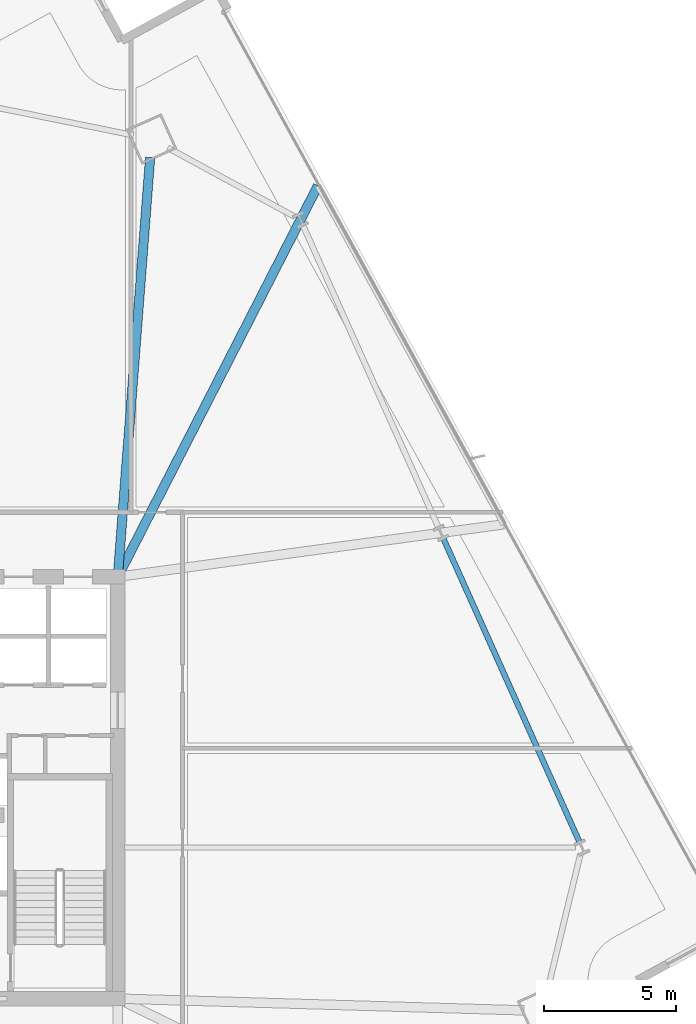
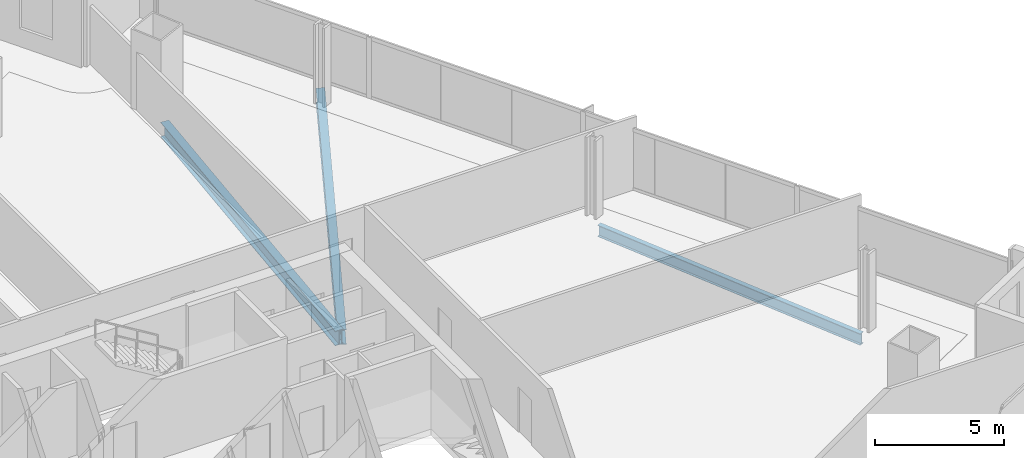
# One storey, part 17 of 33: 3 beams.
"""IFC4 building model written with IfcOpenShell, lengths in metres."""

from ifc_helpers import new_model, si_unit, direction, frame, origin, origin_2d, place, context, subcontext, project, spatial, i_section, extrude, material, material_profile, profile_set, type_object, element, save


model = new_model("IFC4")

# Units and contexts
model_context = context("Model", 3, precision=1e-05, world=origin(), true_north=direction((0.0, 1.0)))
body_context = subcontext(model_context, "Body", "Model", "MODEL_VIEW")
ifc_project = project(units=[si_unit("LENGTHUNIT", "METRE"), si_unit("AREAUNIT", "SQUARE_METRE"), si_unit("VOLUMEUNIT", "CUBIC_METRE"), si_unit("PLANEANGLEUNIT", "RADIAN"), si_unit("MASSUNIT", "GRAM", prefix="KILO")], contexts=[model_context])

# Site, building, storey
site_placement = place(None, origin())
site = spatial("IfcSite", under=ifc_project, at=site_placement, CompositionType="ELEMENT")
building_placement = place(site_placement, origin())
building = spatial("IfcBuilding", under=site, at=building_placement, Name="Haldenkirk Collegiate Tower", CompositionType="ELEMENT")
storey_placement = place(building_placement, frame((0.0, 0.0, 124.199951171875)))
storey = spatial("IfcBuildingStorey", under=building, at=storey_placement, Name="L30", CompositionType="ELEMENT", Elevation=124.199951171875)

# Beams
ifc_material = material(Name="Steel ASTM A992 Grade 50", Category="steel")
ifc_material_profile_1 = material_profile(ifc_material, i_section(OverallWidth=0.35498046875, OverallDepth=0.696044921875, WebThickness=0.015380859375, FlangeThickness=0.02490234375, at=origin_2d()), Name="W27X146")
ifc_profile_set_1 = profile_set([ifc_material_profile_1], Name="Steel ASTM A992 Grade 50")
beam_type_1 = type_object("IfcBeamType", Name="BM-GIRDER-W27X146", PredefinedType="BEAM", material=ifc_profile_set_1)
beam_1_placement = place(storey_placement, frame((46.226806640625, 49.9072265625, -0.64794921875), z_axis=(-0.076898657581, -0.997038914217, 0.0), x_axis=(0.997038914217, -0.076898657581, 0.0)))
element("IfcBeam", 1, at=beam_1_placement, inside=storey, type_object=beam_type_1, Name="L30 primary floor girder 03", PredefinedType="BEAM", context=body_context, shape_type="SweptSolid", body=[
    extrude(i_section(OverallWidth=0.35498046875, OverallDepth=0.696044921875, WebThickness=0.015380859375, FlangeThickness=0.02490234375, at=origin_2d()), origin(), (0.0, 0.0, 1.0), 15.699462890625),
])
beam_2_placement = place(storey_placement, frame((52.591796875, 48.83544921875, -0.64794921875), z_axis=(-0.455549291147, -0.890210561236, 0.0), x_axis=(0.890210561236, -0.455549291147, 0.0)))
element("IfcBeam", 2, at=beam_2_placement, inside=storey, type_object=beam_type_1, Name="L30 primary floor girder 10", PredefinedType="BEAM", context=body_context, shape_type="SweptSolid", body=[
    extrude(i_section(OverallWidth=0.35498046875, OverallDepth=0.696044921875, WebThickness=0.015380859375, FlangeThickness=0.02490234375, at=origin_2d()), origin(), (0.0, 0.0, 1.0), 16.41015625),
])
ifc_material_profile_2 = material_profile(ifc_material, i_section(OverallWidth=0.2119140625, OverallDepth=0.5439453125, WebThickness=0.01318359375, FlangeThickness=0.021240234375, at=origin_2d()), Name="W21X83")
ifc_profile_set_2 = profile_set([ifc_material_profile_2], Name="Steel ASTM A992 Grade 50")
beam_type_2 = type_object("IfcBeamType", Name="BM-SPANDREL-W21X83", PredefinedType="SPANDREL", material=ifc_profile_set_2)
beam_3_placement = place(storey_placement, frame((62.50830078125, 23.951416015625, -0.572021484375), z_axis=(-0.409131045523, 0.91247563671, 0.0), x_axis=(-0.91247563671, -0.409131045523, 0.0)))
element("IfcBeam", 3, at=beam_3_placement, inside=storey, type_object=beam_type_2, Name="L30 perimeter spandrel beam 06", PredefinedType="SPANDREL", context=body_context, shape_type="SweptSolid", body=[
    extrude(i_section(OverallWidth=0.2119140625, OverallDepth=0.5439453125, WebThickness=0.01318359375, FlangeThickness=0.021240234375, at=origin_2d()), origin(), (0.0, 0.0, 1.0), 12.593994140625),
])

save(model, "model.ifc")
